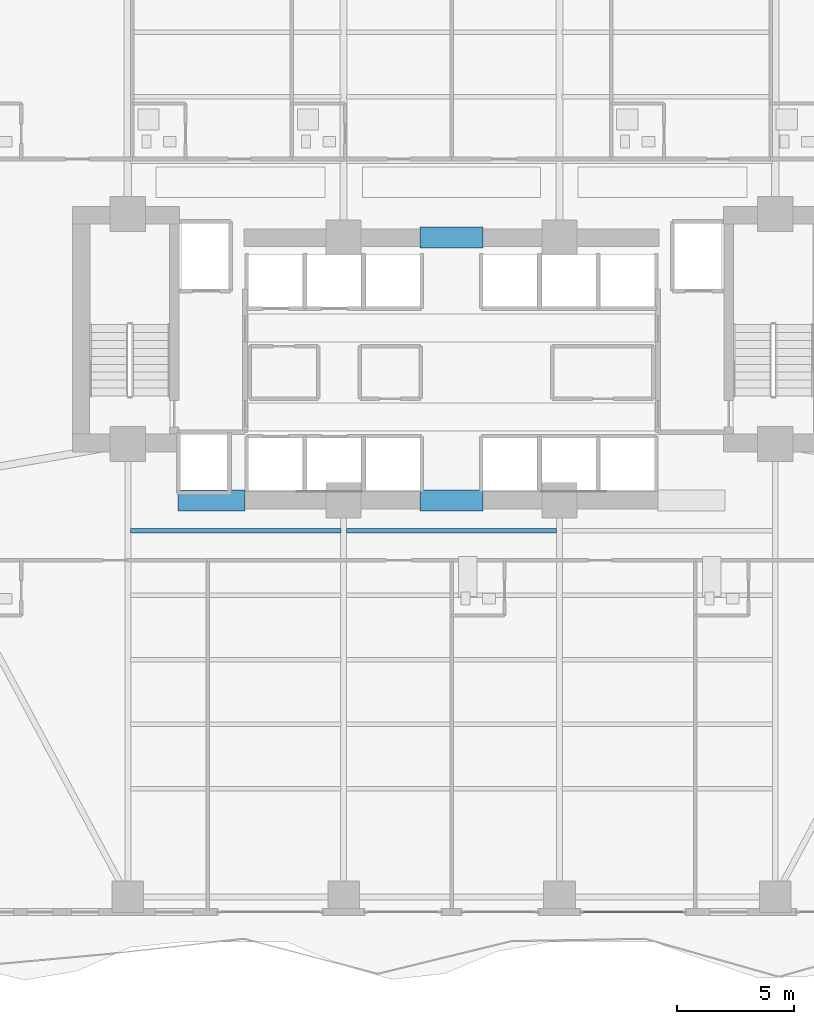
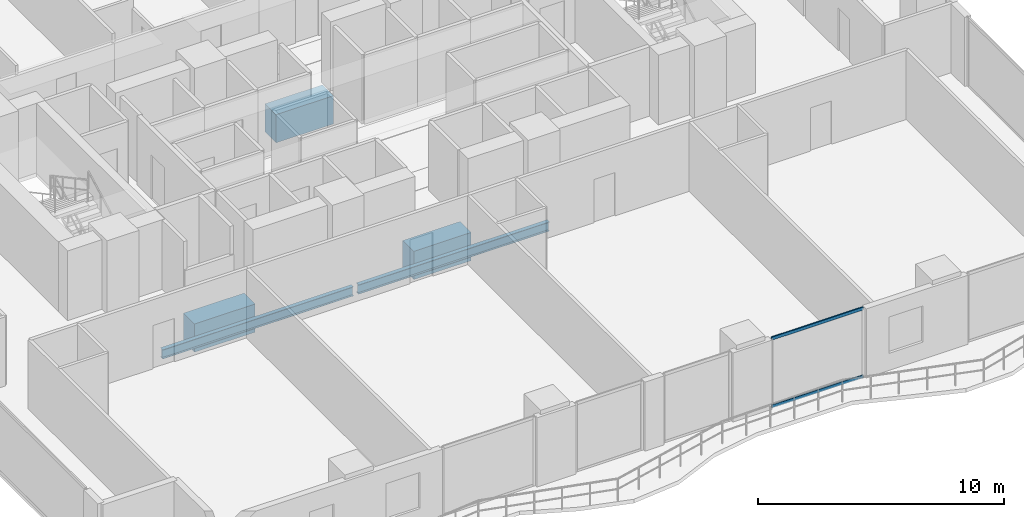
# One storey, part 8 of 29: 5 beams, 2 members, 1 element without a shape of its own.
"""IFC4 building model written with IfcOpenShell, lengths in metres."""

from ifc_helpers import new_model, si_unit, direction, frame, origin, origin_2d, place, context, subcontext, project, spatial, rectangle, hollow_rectangle, i_section, extrude, material, layer, layer_set, material_profile, profile_set, type_object, element, aggregate, save


model = new_model("IFC4")

# Units and contexts
model_context = context("Model", 3, precision=1e-05, world=origin(), true_north=direction((0.0, 1.0)))
body_context = subcontext(model_context, "Body", "Model", "MODEL_VIEW")
ifc_project = project(units=[si_unit("LENGTHUNIT", "METRE"), si_unit("AREAUNIT", "SQUARE_METRE"), si_unit("VOLUMEUNIT", "CUBIC_METRE"), si_unit("PLANEANGLEUNIT", "RADIAN"), si_unit("MASSUNIT", "GRAM", prefix="KILO")], contexts=[model_context])

# Site, building, storey
site_placement = place(None, origin())
site = spatial("IfcSite", under=ifc_project, at=site_placement, CompositionType="ELEMENT")
building_placement = place(site_placement, origin())
building = spatial("IfcBuilding", under=site, at=building_placement, Name="Zuhayl Quay Hotel", CompositionType="ELEMENT")
storey_placement = place(building_placement, frame((0.0, 0.0, 132.14990234375)))
storey = spatial("IfcBuildingStorey", under=building, at=storey_placement, Name="L33", CompositionType="ELEMENT", Elevation=132.14990234375)

# Beams
ifc_material_1 = material(Name="Concrete C60/75", Category="concrete")
ifc_material_profile_1 = material_profile(ifc_material_1, rectangle(XDim=0.89990234375, YDim=1.39990234375, at=origin_2d()), Name="RC900X1400")
ifc_profile_set_1 = profile_set([ifc_material_profile_1], Name="Concrete C60/75")
beam_type_1 = type_object("IfcBeamType", Name="BM_CB1_RC900", PredefinedType="T_BEAM", material=ifc_profile_set_1)
beam_placement = place(storey_placement, frame((-11.64990234375, 2.14990234375, -0.919921875), z_axis=(1.0, 0.0, 0.0), x_axis=(0.0, 1.0, 0.0)))
element("IfcBeam", 1, at=beam_placement, inside=storey, type_object=beam_type_1, Name="L33 Core Coupling Beam SW", PredefinedType="T_BEAM", context=body_context, shape_type="SweptSolid", body=[
    extrude(rectangle(XDim=0.89990234375, YDim=1.39990234375, at=origin_2d()), origin(), (0.0, 0.0, 1.0), 2.849853515625),
])
for number, where, z_axis, x_axis, name in (
    (2, (-1.35009765625, 13.35009765625, -0.919921875), (1.0, 0.0, 0.0), (0.0, 1.0, 0.0), "L33 Core Coupling Beam North"),
    (3, (-1.35009765625, 2.14990234375, -0.919921875), (1.0, 0.0, 0.0), (0.0, 1.0, 0.0), "L33 Core Coupling Beam South"),
):
    element("IfcBeam", number, at=place(storey_placement, frame(where, z_axis=z_axis, x_axis=x_axis)), inside=storey, type_object=beam_type_1, Name=name, PredefinedType="T_BEAM", context=body_context, shape_type="SweptSolid", body=[
        extrude(rectangle(XDim=0.89990234375, YDim=1.39990234375, at=origin_2d()), origin(), (0.0, 0.0, 1.0), 2.7001953125),
    ])
ifc_material_2 = material(Name="Steel ASTM A992 Grade 50", Category="steel")
ifc_material_profile_2 = material_profile(ifc_material_2, i_section(OverallWidth=0.18994140625, OverallDepth=0.45703125, WebThickness=0.009033203125, FlangeThickness=0.014404296875, at=origin_2d()), Name="W18X50")
ifc_profile_set_2 = profile_set([ifc_material_profile_2], Name="Steel ASTM A992 Grade 50")
beam_type_2 = type_object("IfcBeamType", Name="BM_J2_W18X50", PredefinedType="JOIST", material=ifc_profile_set_2)
for number, where, z_axis, x_axis, name in (
    (4, (-13.680908203125, 0.85009765625, -0.448486328125), (1.0, 0.0, 0.0), (0.0, 1.0, 0.0), "L33 Floor Beam FJ_L33_9_1"),
    (5, (-4.48095703125, 0.85009765625, -0.448486328125), (1.0, 0.0, 0.0), (0.0, 1.0, 0.0), "L33 Floor Beam FJ_L33_9_2"),
):
    element("IfcBeam", number, at=place(storey_placement, frame(where, z_axis=z_axis, x_axis=x_axis)), inside=storey, type_object=beam_type_2, Name=name, PredefinedType="JOIST", context=body_context, shape_type="SweptSolid", body=[
        extrude(i_section(OverallWidth=0.18994140625, OverallDepth=0.45703125, WebThickness=0.009033203125, FlangeThickness=0.014404296875, at=origin_2d()), origin(), (0.0, 0.0, 1.0), 8.9619140625),
    ])

# Curtain wall, members
ifc_material_3 = material(Name="Anodised Aluminium 6063-T6", Category="aluminium")
ifc_layer = layer(ifc_material_3, 0.179931640625, Name="Anodised Aluminium 6063-T6", Category="aluminium")
ifc_layer_set = layer_set([ifc_layer], Name="Anodised Aluminium 6063-T6")
curtain_wall_type = type_object("IfcCurtainWallType", Name="CW_SYS_Z2", PredefinedType="USERDEFINED", material=ifc_layer_set)
curtain_wall_placement = place(storey_placement, origin())
curtain_wall = element("IfcCurtainWall", 6, at=curtain_wall_placement, inside=storey, type_object=curtain_wall_type, Name="L33 Curtain Wall ENV_L33_S_CW2", ObjectType="UNITISED CURTAIN WALL", PredefinedType="USERDEFINED")
ifc_material_4 = material(Name="Black-anodised aluminium 6063-T6", Category="aluminium")
ifc_material_profile_3 = material_profile(ifc_material_4, hollow_rectangle(XDim=0.06005859375, YDim=0.14990234375, WallThickness=0.00341796875, at=origin_2d()), Name="ALU150X60")
ifc_profile_set_3 = profile_set([ifc_material_profile_3], Name="Black-anodised aluminium 6063-T6")
member_type = type_object("IfcMemberType", Name="MB_CW_TRN_150", PredefinedType="USERDEFINED", material=ifc_profile_set_3)
member_1_placement = place(storey_placement, frame((9.885009765625, -15.39990234375, 0.030029296875), z_axis=(-1.0, 0.0, 0.0), x_axis=(0.0, -1.0, 0.0)))
member_1 = element("IfcMember", 7, at=member_1_placement, type_object=member_type, Name="CW-Z2 transom 1.1", ObjectType="TRANSOM", PredefinedType="USERDEFINED", context=body_context, shape_type="SweptSolid", body=[
    extrude(hollow_rectangle(XDim=0.06005859375, YDim=0.14990234375, WallThickness=0.00341796875, at=origin_2d()), origin(), (0.0, 0.0, 1.0), 4.300048828125),
])
member_2_placement = place(storey_placement, frame((9.885009765625, -15.39990234375, 3.400146484375), z_axis=(-1.0, 0.0, 0.0), x_axis=(0.0, -1.0, 0.0)))
member_2 = element("IfcMember", 8, at=member_2_placement, type_object=member_type, Name="CW-Z2 transom 1.2", ObjectType="TRANSOM", PredefinedType="USERDEFINED", context=body_context, shape_type="SweptSolid", body=[
    extrude(hollow_rectangle(XDim=0.06005859375, YDim=0.14990234375, WallThickness=0.00341796875, at=origin_2d()), origin(), (0.0, 0.0, 1.0), 4.300048828125),
])
aggregate(curtain_wall, [member_1, member_2])

save(model, "model.ifc")
